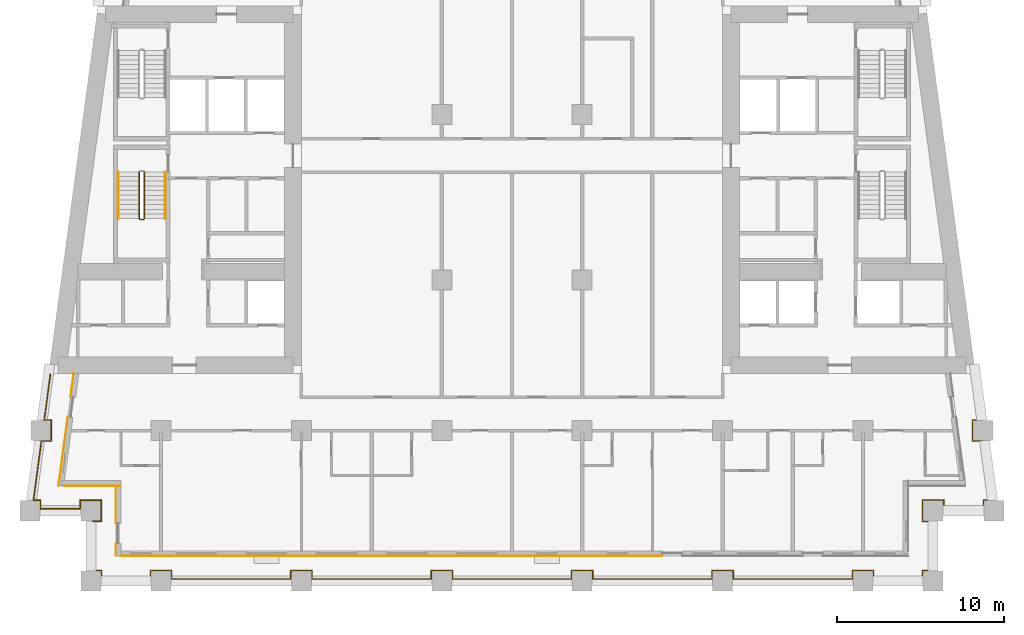
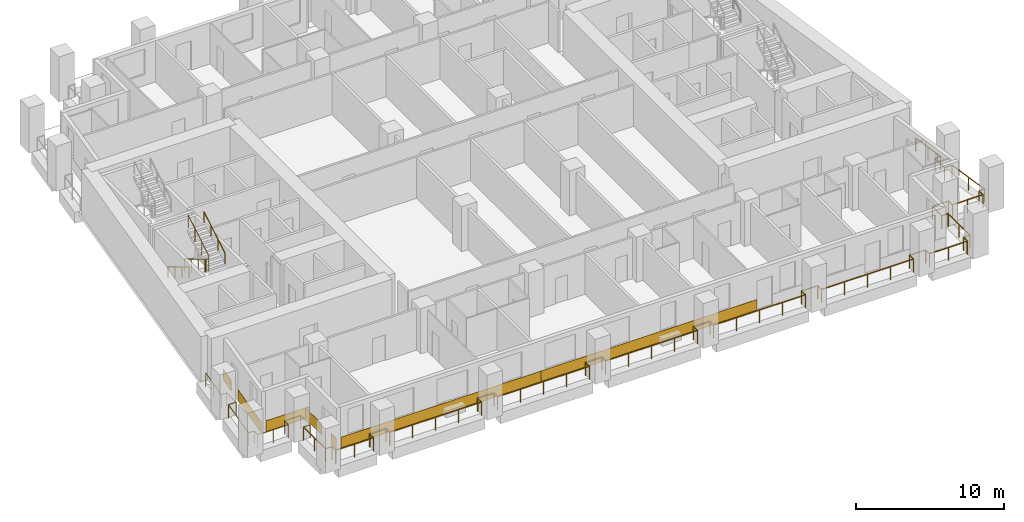
# One storey, part 9 of 13: 7 coverings, 5 railings.
"""IFC4 building model written with IfcOpenShell, lengths in metres."""

from ifc_helpers import new_model, si_unit, direction, frame, origin, origin_2d, place, context, subcontext, project, spatial, rectangle, circle, extrude, material, layer, layer_set, type_object, element, save


model = new_model("IFC4")

# Units and contexts
model_context = context("Model", 3, precision=1e-05, world=origin(), true_north=direction((0.0, 1.0)))
body_context = subcontext(model_context, "Body", "Model", "MODEL_VIEW")
ifc_project = project(units=[si_unit("LENGTHUNIT", "METRE"), si_unit("AREAUNIT", "SQUARE_METRE"), si_unit("VOLUMEUNIT", "CUBIC_METRE"), si_unit("PLANEANGLEUNIT", "RADIAN"), si_unit("MASSUNIT", "GRAM", prefix="KILO")], contexts=[model_context])

# Site, building, storey
site_placement = place(None, origin())
site = spatial("IfcSite", under=ifc_project, at=site_placement, CompositionType="ELEMENT")
building_placement = place(site_placement, origin())
building = spatial("IfcBuilding", under=site, at=building_placement, Name="Candeia Pilgrim Tower and Theatre", CompositionType="ELEMENT")
storey_placement = place(building_placement, frame((0.0, 0.0, 109.5)))
storey = spatial("IfcBuildingStorey", under=building, at=storey_placement, Name="L25", CompositionType="ELEMENT", Elevation=109.5)

# Railings
ifc_material_1 = material(Name="Stainless steel balustrade", Category="steel")
railing_type_1 = type_object("IfcRailingType", Name="G1 loggia guard 1100", PredefinedType="GUARDRAIL", material=ifc_material_1)
railing_1_placement = place(storey_placement, frame((88.320068359375, 101.570068359375, 0.0)))
element("IfcRailing", 1, at=railing_1_placement, inside=storey, type_object=railing_type_1, Name="Guard L25.1", PredefinedType="GUARDRAIL", context=body_context, shape_type="SweptSolid", body=[
    extrude(circle(Radius=0.02392578125, at=origin_2d()), frame((0.0, 0.0, 1.076171875), z_axis=(1.0, 0.0, 0.0), x_axis=(0.0, 1.0, 0.0)), (0.0, 0.0, 1.0), 0.510009765625),
    extrude(circle(Radius=0.02392578125, at=origin_2d()), frame((0.510009765625, 0.0, 1.076171875), z_axis=(0.0, 1.0, 0.0), x_axis=(-1.0, 0.0, 0.0)), (0.0, 0.0, 1.0), 1.260009765625),
    extrude(circle(Radius=0.02392578125, at=origin_2d()), frame((0.510009765625, 1.260009765625, 1.076171875), z_axis=(-1.0, 0.0, 0.0), x_axis=(0.0, -1.0, 0.0)), (0.0, 0.0, 1.0), 1.260009765625),
    extrude(circle(Radius=0.02392578125, at=origin_2d()), frame((-0.75, 1.260009765625, 1.076171875), z_axis=(0.0, -1.0, 0.0), x_axis=(1.0, 0.0, 0.0)), (0.0, 0.0, 1.0), 0.510009765625),
    extrude(circle(Radius=0.02392578125, at=origin_2d()), frame((-0.75, 0.75, 1.076171875), z_axis=(-1.0, 0.0, 0.0), x_axis=(0.0, -1.0, 0.0)), (0.0, 0.0, 1.0), 2.374755859375),
    extrude(circle(Radius=0.02392578125, at=origin_2d()), frame((-3.124755859375, 0.75, 1.076171875), z_axis=(0.0, 1.0, 0.0), x_axis=(-1.0, 0.0, 0.0)), (0.0, 0.0, 1.0), 0.510009765625),
    extrude(circle(Radius=0.02392578125, at=origin_2d()), frame((-3.124755859375, 1.260009765625, 1.076171875), z_axis=(-1.0, 0.0, 0.0), x_axis=(0.0, -1.0, 0.0)), (0.0, 0.0, 1.0), 0.424072265625),
    extrude(circle(Radius=0.02392578125, at=origin_2d()), frame((-3.548828125, 1.260009765625, 1.076171875), z_axis=(0.133417176173, 0.991059966451, 0.0), x_axis=(-0.991059966451, 0.133417176173, 0.0)), (0.0, 0.0, 1.0), 3.572021484375),
    extrude(circle(Radius=0.02392578125, at=origin_2d()), frame((-3.072265625, 4.800048828125, 1.076171875), z_axis=(1.0, 0.0, 0.0), x_axis=(0.0, 1.0, 0.0)), (0.0, 0.0, 1.0), 0.59375),
    extrude(circle(Radius=0.02392578125, at=origin_2d()), frame((-2.478515625, 4.800048828125, 1.076171875), z_axis=(0.0, 1.0, 0.0), x_axis=(-1.0, 0.0, 0.0)), (0.0, 0.0, 1.0), 1.259765625),
    extrude(circle(Radius=0.02392578125, at=origin_2d()), frame((-2.478515625, 6.059814453125, 1.076171875), z_axis=(-1.0, 0.0, 0.0), x_axis=(0.0, -1.0, 0.0)), (0.0, 0.0, 1.0), 0.424072265625),
    extrude(circle(Radius=0.02392578125, at=origin_2d()), frame((-2.902587890625, 6.059814453125, 1.076171875), z_axis=(0.1334220927, 0.991059304572, 0.0), x_axis=(-0.991059304572, 0.1334220927, 0.0)), (0.0, 0.0, 1.0), 2.744873046875),
    extrude(circle(Radius=0.02099609375, at=origin_2d()), origin(), (0.0, 0.0, 1.0), 1.052001953125),
    extrude(circle(Radius=0.02099609375, at=origin_2d()), frame((0.510009765625, 0.0, 0.0)), (0.0, 0.0, 1.0), 1.052001953125),
    extrude(circle(Radius=0.02099609375, at=origin_2d()), frame((0.510009765625, 1.260009765625, 0.0)), (0.0, 0.0, 1.0), 1.052001953125),
    extrude(circle(Radius=0.02099609375, at=origin_2d()), frame((-0.75, 1.260009765625, 0.0)), (0.0, 0.0, 1.0), 1.052001953125),
    extrude(circle(Radius=0.02099609375, at=origin_2d()), frame((-0.75, 0.75, 0.0)), (0.0, 0.0, 1.0), 1.052001953125),
    extrude(circle(Radius=0.02099609375, at=origin_2d()), frame((-1.9375, 0.75, 0.0)), (0.0, 0.0, 1.0), 1.052001953125),
    extrude(circle(Radius=0.02099609375, at=origin_2d()), frame((-3.124755859375, 0.75, 0.0)), (0.0, 0.0, 1.0), 1.052001953125),
    extrude(circle(Radius=0.02099609375, at=origin_2d()), frame((-3.124755859375, 1.260009765625, 0.0)), (0.0, 0.0, 1.0), 1.052001953125),
    extrude(circle(Radius=0.02099609375, at=origin_2d()), frame((-3.548828125, 1.260009765625, 0.0)), (0.0, 0.0, 1.0), 1.052001953125),
    extrude(circle(Radius=0.02099609375, at=origin_2d()), frame((-3.310546875, 3.030029296875, 0.0)), (0.0, 0.0, 1.0), 1.052001953125),
    extrude(circle(Radius=0.02099609375, at=origin_2d()), frame((-3.072265625, 4.800048828125, 0.0)), (0.0, 0.0, 1.0), 1.052001953125),
    extrude(circle(Radius=0.02099609375, at=origin_2d()), frame((-2.478515625, 4.800048828125, 0.0)), (0.0, 0.0, 1.0), 1.052001953125),
    extrude(circle(Radius=0.02099609375, at=origin_2d()), frame((-2.478515625, 6.059814453125, 0.0)), (0.0, 0.0, 1.0), 1.052001953125),
    extrude(circle(Radius=0.02099609375, at=origin_2d()), frame((-2.902587890625, 6.059814453125, 0.0)), (0.0, 0.0, 1.0), 1.052001953125),
    extrude(circle(Radius=0.02099609375, at=origin_2d()), frame((-2.719482421875, 7.419921875, 0.0)), (0.0, 0.0, 1.0), 1.052001953125),
    extrude(circle(Radius=0.02099609375, at=origin_2d()), frame((-2.536376953125, 8.780029296875, 0.0)), (0.0, 0.0, 1.0), 1.052001953125),
])
railing_2_placement = place(storey_placement, frame((141.016357421875, 110.35009765625, 0.0)))
element("IfcRailing", 2, at=railing_2_placement, inside=storey, type_object=railing_type_1, Name="Guard L25.4", PredefinedType="GUARDRAIL", context=body_context, shape_type="SweptSolid", body=[
    extrude(circle(Radius=0.02392578125, at=origin_2d()), frame((0.0, 0.0, 1.076171875), z_axis=(0.1334220927, -0.991059304572, 0.0), x_axis=(0.991059304572, 0.1334220927, 0.0)), (0.0, 0.0, 1.0), 2.744873046875),
    extrude(circle(Radius=0.02392578125, at=origin_2d()), frame((0.3662109375, -2.72021484375, 1.076171875), z_axis=(-1.0, 0.0, 0.0), x_axis=(0.0, -1.0, 0.0)), (0.0, 0.0, 1.0), 0.424072265625),
    extrude(circle(Radius=0.02392578125, at=origin_2d()), frame((-0.057861328125, -2.72021484375, 1.076171875), z_axis=(0.0, -1.0, 0.0), x_axis=(1.0, 0.0, 0.0)), (0.0, 0.0, 1.0), 1.259765625),
    extrude(circle(Radius=0.02392578125, at=origin_2d()), frame((-0.057861328125, -3.97998046875, 1.076171875), z_axis=(1.0, 0.0, 0.0), x_axis=(0.0, 1.0, 0.0)), (0.0, 0.0, 1.0), 0.59375),
    extrude(circle(Radius=0.02392578125, at=origin_2d()), frame((0.535888671875, -3.97998046875, 1.076171875), z_axis=(0.133417176173, -0.991059966451, 0.0), x_axis=(0.991059966451, 0.133417176173, 0.0)), (0.0, 0.0, 1.0), 3.572021484375),
    extrude(circle(Radius=0.02392578125, at=origin_2d()), frame((1.012451171875, -7.52001953125, 1.076171875), z_axis=(-1.0, 0.0, 0.0), x_axis=(0.0, -1.0, 0.0)), (0.0, 0.0, 1.0), 0.424072265625),
    extrude(circle(Radius=0.02392578125, at=origin_2d()), frame((0.58837890625, -7.52001953125, 1.076171875), z_axis=(0.0, -1.0, 0.0), x_axis=(1.0, 0.0, 0.0)), (0.0, 0.0, 1.0), 0.510009765625),
    extrude(circle(Radius=0.02392578125, at=origin_2d()), frame((0.58837890625, -8.030029296875, 1.076171875), z_axis=(-1.0, 0.0, 0.0), x_axis=(0.0, -1.0, 0.0)), (0.0, 0.0, 1.0), 2.374755859375),
    extrude(circle(Radius=0.02392578125, at=origin_2d()), frame((-1.786376953125, -8.030029296875, 1.076171875), z_axis=(0.0, 1.0, 0.0), x_axis=(-1.0, 0.0, 0.0)), (0.0, 0.0, 1.0), 0.510009765625),
    extrude(circle(Radius=0.02392578125, at=origin_2d()), frame((-1.786376953125, -7.52001953125, 1.076171875), z_axis=(-1.0, 0.0, 0.0), x_axis=(0.0, -1.0, 0.0)), (0.0, 0.0, 1.0), 1.260009765625),
    extrude(circle(Radius=0.02392578125, at=origin_2d()), frame((-3.04638671875, -7.52001953125, 1.076171875), z_axis=(0.0, -1.0, 0.0), x_axis=(1.0, 0.0, 0.0)), (0.0, 0.0, 1.0), 1.260009765625),
    extrude(circle(Radius=0.02392578125, at=origin_2d()), frame((-3.04638671875, -8.780029296875, 1.076171875), z_axis=(1.0, 0.0, 0.0), x_axis=(0.0, 1.0, 0.0)), (0.0, 0.0, 1.0), 0.510009765625),
    extrude(circle(Radius=0.02392578125, at=origin_2d()), frame((-2.536376953125, -8.780029296875, 1.076171875), z_axis=(0.0, -1.0, 0.0), x_axis=(1.0, 0.0, 0.0)), (0.0, 0.0, 1.0), 2.940185546875),
    extrude(circle(Radius=0.02392578125, at=origin_2d()), frame((-2.536376953125, -11.72021484375, 1.076171875), z_axis=(-1.0, 0.0, 0.0), x_axis=(0.0, -1.0, 0.0)), (0.0, 0.0, 1.0), 0.510009765625),
    extrude(circle(Radius=0.02392578125, at=origin_2d()), frame((-3.04638671875, -11.72021484375, 1.076171875), z_axis=(0.0, -1.0, 0.0), x_axis=(1.0, 0.0, 0.0)), (0.0, 0.0, 1.0), 0.509765625),
    extrude(circle(Radius=0.02392578125, at=origin_2d()), frame((-3.04638671875, -12.22998046875, 1.076171875), z_axis=(-1.0, 0.0, 0.0), x_axis=(0.0, -1.0, 0.0)), (0.0, 0.0, 1.0), 2.93994140625),
    extrude(circle(Radius=0.02392578125, at=origin_2d()), frame((-5.986328125, -12.22998046875, 1.076171875), z_axis=(0.0, 1.0, 0.0), x_axis=(-1.0, 0.0, 0.0)), (0.0, 0.0, 1.0), 0.509765625),
    extrude(circle(Radius=0.02392578125, at=origin_2d()), frame((-5.986328125, -11.72021484375, 1.076171875), z_axis=(-1.0, 0.0, 0.0), x_axis=(0.0, -1.0, 0.0)), (0.0, 0.0, 1.0), 1.260009765625),
    extrude(circle(Radius=0.02392578125, at=origin_2d()), frame((-7.246337890625, -11.72021484375, 1.076171875), z_axis=(0.0, -1.0, 0.0), x_axis=(1.0, 0.0, 0.0)), (0.0, 0.0, 1.0), 0.509765625),
    extrude(circle(Radius=0.02392578125, at=origin_2d()), frame((-7.246337890625, -12.22998046875, 1.076171875), z_axis=(-1.0, 0.0, 0.0), x_axis=(0.0, -1.0, 0.0)), (0.0, 0.0, 1.0), 7.14013671875),
    extrude(circle(Radius=0.02392578125, at=origin_2d()), frame((-14.386474609375, -12.22998046875, 1.076171875), z_axis=(0.0, 1.0, 0.0), x_axis=(-1.0, 0.0, 0.0)), (0.0, 0.0, 1.0), 0.509765625),
    extrude(circle(Radius=0.02392578125, at=origin_2d()), frame((-14.386474609375, -11.72021484375, 1.076171875), z_axis=(-1.0, 0.0, 0.0), x_axis=(0.0, -1.0, 0.0)), (0.0, 0.0, 1.0), 1.259765625),
    extrude(circle(Radius=0.02392578125, at=origin_2d()), frame((-15.646240234375, -11.72021484375, 1.076171875), z_axis=(0.0, -1.0, 0.0), x_axis=(1.0, 0.0, 0.0)), (0.0, 0.0, 1.0), 0.509765625),
    extrude(circle(Radius=0.02392578125, at=origin_2d()), frame((-15.646240234375, -12.22998046875, 1.076171875), z_axis=(-1.0, 0.0, 0.0), x_axis=(0.0, -1.0, 0.0)), (0.0, 0.0, 1.0), 7.14013671875),
    extrude(circle(Radius=0.02392578125, at=origin_2d()), frame((-22.786376953125, -12.22998046875, 1.076171875), z_axis=(0.0, 1.0, 0.0), x_axis=(-1.0, 0.0, 0.0)), (0.0, 0.0, 1.0), 0.509765625),
    extrude(circle(Radius=0.02392578125, at=origin_2d()), frame((-22.786376953125, -11.72021484375, 1.076171875), z_axis=(-1.0, 0.0, 0.0), x_axis=(0.0, -1.0, 0.0)), (0.0, 0.0, 1.0), 1.260009765625),
    extrude(circle(Radius=0.02392578125, at=origin_2d()), frame((-24.04638671875, -11.72021484375, 1.076171875), z_axis=(0.0, -1.0, 0.0), x_axis=(1.0, 0.0, 0.0)), (0.0, 0.0, 1.0), 0.509765625),
    extrude(circle(Radius=0.02392578125, at=origin_2d()), frame((-24.04638671875, -12.22998046875, 1.076171875), z_axis=(-1.0, 0.0, 0.0), x_axis=(0.0, -1.0, 0.0)), (0.0, 0.0, 1.0), 7.139892578125),
    extrude(circle(Radius=0.02392578125, at=origin_2d()), frame((-31.186279296875, -12.22998046875, 1.076171875), z_axis=(0.0, 1.0, 0.0), x_axis=(-1.0, 0.0, 0.0)), (0.0, 0.0, 1.0), 0.509765625),
    extrude(circle(Radius=0.02392578125, at=origin_2d()), frame((-31.186279296875, -11.72021484375, 1.076171875), z_axis=(-1.0, 0.0, 0.0), x_axis=(0.0, -1.0, 0.0)), (0.0, 0.0, 1.0), 1.260009765625),
    extrude(circle(Radius=0.02392578125, at=origin_2d()), frame((-32.4462890625, -11.72021484375, 1.076171875), z_axis=(0.0, -1.0, 0.0), x_axis=(1.0, 0.0, 0.0)), (0.0, 0.0, 1.0), 0.509765625),
    extrude(circle(Radius=0.02392578125, at=origin_2d()), frame((-32.4462890625, -12.22998046875, 1.076171875), z_axis=(-1.0, 0.0, 0.0), x_axis=(0.0, -1.0, 0.0)), (0.0, 0.0, 1.0), 7.14013671875),
    extrude(circle(Radius=0.02392578125, at=origin_2d()), frame((-39.58642578125, -12.22998046875, 1.076171875), z_axis=(0.0, 1.0, 0.0), x_axis=(-1.0, 0.0, 0.0)), (0.0, 0.0, 1.0), 0.509765625),
    extrude(circle(Radius=0.02392578125, at=origin_2d()), frame((-39.58642578125, -11.72021484375, 1.076171875), z_axis=(-1.0, 0.0, 0.0), x_axis=(0.0, -1.0, 0.0)), (0.0, 0.0, 1.0), 1.260009765625),
    extrude(circle(Radius=0.02392578125, at=origin_2d()), frame((-40.846435546875, -11.72021484375, 1.076171875), z_axis=(0.0, -1.0, 0.0), x_axis=(1.0, 0.0, 0.0)), (0.0, 0.0, 1.0), 0.509765625),
    extrude(circle(Radius=0.02392578125, at=origin_2d()), frame((-40.846435546875, -12.22998046875, 1.076171875), z_axis=(-1.0, 0.0, 0.0), x_axis=(0.0, -1.0, 0.0)), (0.0, 0.0, 1.0), 7.139892578125),
    extrude(circle(Radius=0.02392578125, at=origin_2d()), frame((-47.986328125, -12.22998046875, 1.076171875), z_axis=(0.0, 1.0, 0.0), x_axis=(-1.0, 0.0, 0.0)), (0.0, 0.0, 1.0), 0.509765625),
    extrude(circle(Radius=0.02392578125, at=origin_2d()), frame((-47.986328125, -11.72021484375, 1.076171875), z_axis=(-1.0, 0.0, 0.0), x_axis=(0.0, -1.0, 0.0)), (0.0, 0.0, 1.0), 1.260009765625),
    extrude(circle(Radius=0.02392578125, at=origin_2d()), frame((-49.246337890625, -11.72021484375, 1.076171875), z_axis=(0.0, -1.0, 0.0), x_axis=(1.0, 0.0, 0.0)), (0.0, 0.0, 1.0), 0.509765625),
    extrude(circle(Radius=0.02392578125, at=origin_2d()), frame((-49.246337890625, -12.22998046875, 1.076171875), z_axis=(-1.0, 0.0, 0.0), x_axis=(0.0, -1.0, 0.0)), (0.0, 0.0, 1.0), 2.93994140625),
    extrude(circle(Radius=0.02392578125, at=origin_2d()), frame((-52.186279296875, -12.22998046875, 1.076171875), z_axis=(0.0, 1.0, 0.0), x_axis=(-1.0, 0.0, 0.0)), (0.0, 0.0, 1.0), 0.509765625),
    extrude(circle(Radius=0.02392578125, at=origin_2d()), frame((-52.186279296875, -11.72021484375, 1.076171875), z_axis=(-1.0, 0.0, 0.0), x_axis=(0.0, -1.0, 0.0)), (0.0, 0.0, 1.0), 0.510009765625),
    extrude(circle(Radius=0.02392578125, at=origin_2d()), frame((-52.6962890625, -11.72021484375, 1.076171875), z_axis=(0.0, 1.0, 0.0), x_axis=(-1.0, 0.0, 0.0)), (0.0, 0.0, 1.0), 2.940185546875),
    extrude(circle(Radius=0.02099609375, at=origin_2d()), origin(), (0.0, 0.0, 1.0), 1.052001953125),
    extrude(circle(Radius=0.02099609375, at=origin_2d()), frame((0.18310546875, -1.360107421875, 0.0)), (0.0, 0.0, 1.0), 1.052001953125),
    extrude(circle(Radius=0.02099609375, at=origin_2d()), frame((0.3662109375, -2.72021484375, 0.0)), (0.0, 0.0, 1.0), 1.052001953125),
    extrude(circle(Radius=0.02099609375, at=origin_2d()), frame((-0.057861328125, -2.72021484375, 0.0)), (0.0, 0.0, 1.0), 1.052001953125),
    extrude(circle(Radius=0.02099609375, at=origin_2d()), frame((-0.057861328125, -3.97998046875, 0.0)), (0.0, 0.0, 1.0), 1.052001953125),
    extrude(circle(Radius=0.02099609375, at=origin_2d()), frame((0.535888671875, -3.97998046875, 0.0)), (0.0, 0.0, 1.0), 1.052001953125),
    extrude(circle(Radius=0.02099609375, at=origin_2d()), frame((0.774169921875, -5.75, 0.0)), (0.0, 0.0, 1.0), 1.052001953125),
    extrude(circle(Radius=0.02099609375, at=origin_2d()), frame((1.012451171875, -7.52001953125, 0.0)), (0.0, 0.0, 1.0), 1.052001953125),
    extrude(circle(Radius=0.02099609375, at=origin_2d()), frame((0.58837890625, -7.52001953125, 0.0)), (0.0, 0.0, 1.0), 1.052001953125),
    extrude(circle(Radius=0.02099609375, at=origin_2d()), frame((0.58837890625, -8.030029296875, 0.0)), (0.0, 0.0, 1.0), 1.052001953125),
    extrude(circle(Radius=0.02099609375, at=origin_2d()), frame((-0.59912109375, -8.030029296875, 0.0)), (0.0, 0.0, 1.0), 1.052001953125),
    extrude(circle(Radius=0.02099609375, at=origin_2d()), frame((-1.786376953125, -8.030029296875, 0.0)), (0.0, 0.0, 1.0), 1.052001953125),
    extrude(circle(Radius=0.02099609375, at=origin_2d()), frame((-1.786376953125, -7.52001953125, 0.0)), (0.0, 0.0, 1.0), 1.052001953125),
    extrude(circle(Radius=0.02099609375, at=origin_2d()), frame((-3.04638671875, -7.52001953125, 0.0)), (0.0, 0.0, 1.0), 1.052001953125),
    extrude(circle(Radius=0.02099609375, at=origin_2d()), frame((-3.04638671875, -8.780029296875, 0.0)), (0.0, 0.0, 1.0), 1.052001953125),
    extrude(circle(Radius=0.02099609375, at=origin_2d()), frame((-2.536376953125, -8.780029296875, 0.0)), (0.0, 0.0, 1.0), 1.052001953125),
    extrude(circle(Radius=0.02099609375, at=origin_2d()), frame((-2.536376953125, -10.25, 0.0)), (0.0, 0.0, 1.0), 1.052001953125),
    extrude(circle(Radius=0.02099609375, at=origin_2d()), frame((-2.536376953125, -11.72021484375, 0.0)), (0.0, 0.0, 1.0), 1.052001953125),
    extrude(circle(Radius=0.02099609375, at=origin_2d()), frame((-3.04638671875, -11.72021484375, 0.0)), (0.0, 0.0, 1.0), 1.052001953125),
    extrude(circle(Radius=0.02099609375, at=origin_2d()), frame((-3.04638671875, -12.22998046875, 0.0)), (0.0, 0.0, 1.0), 1.052001953125),
    extrude(circle(Radius=0.02099609375, at=origin_2d()), frame((-4.516357421875, -12.22998046875, 0.0)), (0.0, 0.0, 1.0), 1.052001953125),
    extrude(circle(Radius=0.02099609375, at=origin_2d()), frame((-5.986328125, -12.22998046875, 0.0)), (0.0, 0.0, 1.0), 1.052001953125),
    extrude(circle(Radius=0.02099609375, at=origin_2d()), frame((-5.986328125, -11.72021484375, 0.0)), (0.0, 0.0, 1.0), 1.052001953125),
    extrude(circle(Radius=0.02099609375, at=origin_2d()), frame((-7.246337890625, -11.72021484375, 0.0)), (0.0, 0.0, 1.0), 1.052001953125),
    extrude(circle(Radius=0.02099609375, at=origin_2d()), frame((-7.246337890625, -12.22998046875, 0.0)), (0.0, 0.0, 1.0), 1.052001953125),
    extrude(circle(Radius=0.02099609375, at=origin_2d()), frame((-9.03125, -12.22998046875, 0.0)), (0.0, 0.0, 1.0), 1.052001953125),
    extrude(circle(Radius=0.02099609375, at=origin_2d()), frame((-10.81640625, -12.22998046875, 0.0)), (0.0, 0.0, 1.0), 1.052001953125),
    extrude(circle(Radius=0.02099609375, at=origin_2d()), frame((-12.6015625, -12.22998046875, 0.0)), (0.0, 0.0, 1.0), 1.052001953125),
    extrude(circle(Radius=0.02099609375, at=origin_2d()), frame((-14.386474609375, -12.22998046875, 0.0)), (0.0, 0.0, 1.0), 1.052001953125),
    extrude(circle(Radius=0.02099609375, at=origin_2d()), frame((-14.386474609375, -11.72021484375, 0.0)), (0.0, 0.0, 1.0), 1.052001953125),
    extrude(circle(Radius=0.02099609375, at=origin_2d()), frame((-15.646240234375, -11.72021484375, 0.0)), (0.0, 0.0, 1.0), 1.052001953125),
    extrude(circle(Radius=0.02099609375, at=origin_2d()), frame((-15.646240234375, -12.22998046875, 0.0)), (0.0, 0.0, 1.0), 1.052001953125),
    extrude(circle(Radius=0.02099609375, at=origin_2d()), frame((-17.43115234375, -12.22998046875, 0.0)), (0.0, 0.0, 1.0), 1.052001953125),
    extrude(circle(Radius=0.02099609375, at=origin_2d()), frame((-19.21630859375, -12.22998046875, 0.0)), (0.0, 0.0, 1.0), 1.052001953125),
    extrude(circle(Radius=0.02099609375, at=origin_2d()), frame((-21.00146484375, -12.22998046875, 0.0)), (0.0, 0.0, 1.0), 1.052001953125),
    extrude(circle(Radius=0.02099609375, at=origin_2d()), frame((-22.786376953125, -12.22998046875, 0.0)), (0.0, 0.0, 1.0), 1.052001953125),
    extrude(circle(Radius=0.02099609375, at=origin_2d()), frame((-22.786376953125, -11.72021484375, 0.0)), (0.0, 0.0, 1.0), 1.052001953125),
    extrude(circle(Radius=0.02099609375, at=origin_2d()), frame((-24.04638671875, -11.72021484375, 0.0)), (0.0, 0.0, 1.0), 1.052001953125),
    extrude(circle(Radius=0.02099609375, at=origin_2d()), frame((-24.04638671875, -12.22998046875, 0.0)), (0.0, 0.0, 1.0), 1.052001953125),
    extrude(circle(Radius=0.02099609375, at=origin_2d()), frame((-25.831298828125, -12.22998046875, 0.0)), (0.0, 0.0, 1.0), 1.052001953125),
    extrude(circle(Radius=0.02099609375, at=origin_2d()), frame((-27.6162109375, -12.22998046875, 0.0)), (0.0, 0.0, 1.0), 1.052001953125),
    extrude(circle(Radius=0.02099609375, at=origin_2d()), frame((-29.4013671875, -12.22998046875, 0.0)), (0.0, 0.0, 1.0), 1.052001953125),
    extrude(circle(Radius=0.02099609375, at=origin_2d()), frame((-31.186279296875, -12.22998046875, 0.0)), (0.0, 0.0, 1.0), 1.052001953125),
    extrude(circle(Radius=0.02099609375, at=origin_2d()), frame((-31.186279296875, -11.72021484375, 0.0)), (0.0, 0.0, 1.0), 1.052001953125),
    extrude(circle(Radius=0.02099609375, at=origin_2d()), frame((-32.4462890625, -11.72021484375, 0.0)), (0.0, 0.0, 1.0), 1.052001953125),
    extrude(circle(Radius=0.02099609375, at=origin_2d()), frame((-32.4462890625, -12.22998046875, 0.0)), (0.0, 0.0, 1.0), 1.052001953125),
    extrude(circle(Radius=0.02099609375, at=origin_2d()), frame((-34.2314453125, -12.22998046875, 0.0)), (0.0, 0.0, 1.0), 1.052001953125),
    extrude(circle(Radius=0.02099609375, at=origin_2d()), frame((-36.016357421875, -12.22998046875, 0.0)), (0.0, 0.0, 1.0), 1.052001953125),
    extrude(circle(Radius=0.02099609375, at=origin_2d()), frame((-37.80126953125, -12.22998046875, 0.0)), (0.0, 0.0, 1.0), 1.052001953125),
    extrude(circle(Radius=0.02099609375, at=origin_2d()), frame((-39.58642578125, -12.22998046875, 0.0)), (0.0, 0.0, 1.0), 1.052001953125),
    extrude(circle(Radius=0.02099609375, at=origin_2d()), frame((-39.58642578125, -11.72021484375, 0.0)), (0.0, 0.0, 1.0), 1.052001953125),
    extrude(circle(Radius=0.02099609375, at=origin_2d()), frame((-40.846435546875, -11.72021484375, 0.0)), (0.0, 0.0, 1.0), 1.052001953125),
    extrude(circle(Radius=0.02099609375, at=origin_2d()), frame((-40.846435546875, -12.22998046875, 0.0)), (0.0, 0.0, 1.0), 1.052001953125),
    extrude(circle(Radius=0.02099609375, at=origin_2d()), frame((-42.63134765625, -12.22998046875, 0.0)), (0.0, 0.0, 1.0), 1.052001953125),
    extrude(circle(Radius=0.02099609375, at=origin_2d()), frame((-44.41650390625, -12.22998046875, 0.0)), (0.0, 0.0, 1.0), 1.052001953125),
    extrude(circle(Radius=0.02099609375, at=origin_2d()), frame((-46.201416015625, -12.22998046875, 0.0)), (0.0, 0.0, 1.0), 1.052001953125),
    extrude(circle(Radius=0.02099609375, at=origin_2d()), frame((-47.986328125, -12.22998046875, 0.0)), (0.0, 0.0, 1.0), 1.052001953125),
    extrude(circle(Radius=0.02099609375, at=origin_2d()), frame((-47.986328125, -11.72021484375, 0.0)), (0.0, 0.0, 1.0), 1.052001953125),
    extrude(circle(Radius=0.02099609375, at=origin_2d()), frame((-49.246337890625, -11.72021484375, 0.0)), (0.0, 0.0, 1.0), 1.052001953125),
    extrude(circle(Radius=0.02099609375, at=origin_2d()), frame((-49.246337890625, -12.22998046875, 0.0)), (0.0, 0.0, 1.0), 1.052001953125),
    extrude(circle(Radius=0.02099609375, at=origin_2d()), frame((-50.71630859375, -12.22998046875, 0.0)), (0.0, 0.0, 1.0), 1.052001953125),
    extrude(circle(Radius=0.02099609375, at=origin_2d()), frame((-52.186279296875, -12.22998046875, 0.0)), (0.0, 0.0, 1.0), 1.052001953125),
    extrude(circle(Radius=0.02099609375, at=origin_2d()), frame((-52.186279296875, -11.72021484375, 0.0)), (0.0, 0.0, 1.0), 1.052001953125),
    extrude(circle(Radius=0.02099609375, at=origin_2d()), frame((-52.6962890625, -11.72021484375, 0.0)), (0.0, 0.0, 1.0), 1.052001953125),
    extrude(circle(Radius=0.02099609375, at=origin_2d()), frame((-52.6962890625, -10.25, 0.0)), (0.0, 0.0, 1.0), 1.052001953125),
    extrude(circle(Radius=0.02099609375, at=origin_2d()), frame((-52.6962890625, -8.780029296875, 0.0)), (0.0, 0.0, 1.0), 1.052001953125),
])

# Coverings
ifc_material_2 = material(Name="Glazed ceramic tile red")
ifc_layer_1 = layer(ifc_material_2, 0.02001953125)
ifc_layer_set_1 = layer_set([ifc_layer_1], Name="Glazed ceramic tile red")
covering_type_1 = type_object("IfcCoveringType", Name="Glazed ceramic tile red", PredefinedType="CLADDING", material=ifc_layer_set_1)
covering_1_placement = place(storey_placement, frame((97.81005859375, 99.489990234375, 0.0), z_axis=(0.0, 0.0, 1.0), x_axis=(1.0, 0.0, 0.0)))
element("IfcCovering", 3, at=covering_1_placement, inside=storey, type_object=covering_type_1, Name="Tile cladding red L25", PredefinedType="CLADDING", context=body_context, shape_type="SweptSolid", body=[
    extrude(rectangle(XDim=15.580078125, YDim=0.02001953125, at=origin_2d()), origin(), (0.0, 0.0, 1.0), 0.89990234375),
])
covering_2_placement = place(storey_placement, frame((87.0810546875, 109.71875, 0.0), z_axis=(0.0, 0.0, 1.0), x_axis=(-0.133412012145, -0.991060661622, 0.0)))
element("IfcCovering", 4, at=covering_2_placement, inside=storey, type_object=covering_type_1, Name="Tile cladding red L25", PredefinedType="CLADDING", context=body_context, shape_type="SweptSolid", body=[
    extrude(rectangle(XDim=1.41796875, YDim=0.02001953125, at=origin_2d()), origin(), (0.0, 0.0, 1.0), 0.89990234375),
])
covering_3_placement = place(storey_placement, frame((86.548583984375, 105.763916015625, 0.0), z_axis=(0.0, 0.0, 1.0), x_axis=(-0.133412012145, -0.991060661622, 0.0)))
element("IfcCovering", 5, at=covering_3_placement, inside=storey, type_object=covering_type_1, Name="Tile cladding red L25", PredefinedType="CLADDING", context=body_context, shape_type="SweptSolid", body=[
    extrude(rectangle(XDim=4.16259765625, YDim=0.02001953125, at=origin_2d()), origin(), (0.0, 0.0, 1.0), 0.89990234375),
])
covering_4_placement = place(storey_placement, frame((88.311279296875, 103.68994140625, 0.0), z_axis=(0.0, 0.0, 1.0), x_axis=(1.0, 0.0, 0.0)))
element("IfcCovering", 6, at=covering_4_placement, inside=storey, type_object=covering_type_1, Name="Tile cladding red L25", PredefinedType="CLADDING", context=body_context, shape_type="SweptSolid", body=[
    extrude(rectangle(XDim=3.377685546875, YDim=0.02001953125, at=origin_2d()), origin(), (0.0, 0.0, 1.0), 0.89990234375),
])
covering_5_placement = place(storey_placement, frame((89.68994140625, 102.56494140625, 0.0), z_axis=(0.0, 0.0, 1.0), x_axis=(0.0, -1.0, 0.0)))
element("IfcCovering", 7, at=covering_5_placement, inside=storey, type_object=covering_type_1, Name="Tile cladding red L25", PredefinedType="CLADDING", context=body_context, shape_type="SweptSolid", body=[
    extrude(rectangle(XDim=2.22998046875, YDim=0.02001953125, at=origin_2d()), origin(), (0.0, 0.0, 1.0), 0.89990234375),
])
covering_6_placement = place(storey_placement, frame((89.68994140625, 99.875, 0.0), z_axis=(0.0, 0.0, 1.0), x_axis=(0.0, -1.0, 0.0)))
element("IfcCovering", 8, at=covering_6_placement, inside=storey, type_object=covering_type_1, Name="Tile cladding red L25", PredefinedType="CLADDING", context=body_context, shape_type="SweptSolid", body=[
    extrude(rectangle(XDim=0.75, YDim=0.02001953125, at=origin_2d()), origin(), (0.0, 0.0, 1.0), 0.89990234375),
])
ifc_material_3 = material(Name="Glazed ceramic tile rust")
ifc_layer_2 = layer(ifc_material_3, 0.02001953125)
ifc_layer_set_2 = layer_set([ifc_layer_2], Name="Glazed ceramic tile rust")
covering_type_2 = type_object("IfcCoveringType", Name="Glazed ceramic tile rust", PredefinedType="CLADDING", material=ifc_layer_set_2)
covering_7_placement = place(storey_placement, frame((114.0, 99.489990234375, 0.0), z_axis=(0.0, 0.0, 1.0), x_axis=(1.0, 0.0, 0.0)))
element("IfcCovering", 9, at=covering_7_placement, inside=storey, type_object=covering_type_2, Name="Tile cladding rust L25", PredefinedType="CLADDING", context=body_context, shape_type="SweptSolid", body=[
    extrude(rectangle(XDim=16.800048828125, YDim=0.02001953125, at=origin_2d()), origin(), (0.0, 0.0, 1.0), 0.89990234375),
])

# Railings
railing_type_2 = type_object("IfcRailingType", Name="RL-GUARD-1100", PredefinedType="GUARDRAIL", material=ifc_material_1)
railing_3_placement = place(storey_placement, frame((91.10205078125, 122.47509765625, 0.168212890625)))
element("IfcRailing", 10, at=railing_3_placement, inside=storey, type_object=railing_type_2, Name="L25 ST1 stair guard 1", PredefinedType="GUARDRAIL", context=body_context, shape_type="SweptSolid", body=[
    extrude(circle(Radius=0.02392578125, at=origin_2d()), frame((0.0, 0.0, 1.076171875), z_axis=(0.0, -0.857242210791, 0.514913383045), x_axis=(1.0, 0.0, 0.0)), (0.0, 0.0, 1.0), 3.266357421875),
    extrude(circle(Radius=0.02392578125, at=origin_2d()), frame((0.0, -2.800048828125, 2.7578125), z_axis=(0.707106781187, -0.707106781187, 0.0), x_axis=(0.707106781187, 0.707106781187, 0.0)), (0.0, 0.0, 1.0), 0.07080078125),
    extrude(circle(Radius=0.02392578125, at=origin_2d()), frame((0.050048828125, -2.85009765625, 2.7578125), z_axis=(1.0, 0.0, 0.0), x_axis=(0.0, 1.0, 0.0)), (0.0, 0.0, 1.0), 0.199951171875),
    extrude(circle(Radius=0.02392578125, at=origin_2d()), frame((0.25, -2.85009765625, 2.7578125), z_axis=(0.274582412415, 0.274582412415, 0.921525364591), x_axis=(-0.707106781187, 0.707106781187, 0.0)), (0.0, 0.0, 1.0), 0.182373046875),
    extrude(circle(Radius=0.02392578125, at=origin_2d()), frame((0.300048828125, -2.800048828125, 2.92578125), z_axis=(0.0, 0.857242210791, 0.514913383045), x_axis=(-1.0, 0.0, 0.0)), (0.0, 0.0, 1.0), 3.266357421875),
    extrude(circle(Radius=0.02099609375, at=origin_2d()), origin(), (0.0, 0.0, 1.0), 1.052001953125),
    extrude(circle(Radius=0.02099609375, at=origin_2d()), frame((0.0, -0.933349609375, 0.560546875)), (0.0, 0.0, 1.0), 1.052001953125),
    extrude(circle(Radius=0.02099609375, at=origin_2d()), frame((0.0, -1.86669921875, 1.121337890625)), (0.0, 0.0, 1.0), 1.052001953125),
    extrude(circle(Radius=0.02099609375, at=origin_2d()), frame((0.0, -2.800048828125, 1.681884765625)), (0.0, 0.0, 1.0), 1.052001953125),
    extrude(circle(Radius=0.02099609375, at=origin_2d()), frame((0.050048828125, -2.85009765625, 1.681884765625)), (0.0, 0.0, 1.0), 1.052001953125),
    extrude(circle(Radius=0.02099609375, at=origin_2d()), frame((0.25, -2.85009765625, 1.681884765625)), (0.0, 0.0, 1.0), 1.052001953125),
    extrude(circle(Radius=0.02099609375, at=origin_2d()), frame((0.300048828125, -2.800048828125, 1.849853515625)), (0.0, 0.0, 1.0), 1.052001953125),
    extrude(circle(Radius=0.02099609375, at=origin_2d()), frame((0.300048828125, -1.86669921875, 2.410400390625)), (0.0, 0.0, 1.0), 1.052001953125),
    extrude(circle(Radius=0.02099609375, at=origin_2d()), frame((0.300048828125, -0.933349609375, 2.97119140625)), (0.0, 0.0, 1.0), 1.052001953125),
    extrude(circle(Radius=0.02099609375, at=origin_2d()), frame((0.300048828125, 0.0, 3.53173828125)), (0.0, 0.0, 1.0), 1.052001953125),
])
ifc_material_4 = material(Name="Stainless steel handrail", Category="steel")
railing_type_3 = type_object("IfcRailingType", Name="RL-HANDRAIL-900", PredefinedType="HANDRAIL", material=ifc_material_4)
railing_4_placement = place(storey_placement, frame((89.85205078125, 122.47509765625, 0.168212890625)))
element("IfcRailing", 11, at=railing_4_placement, inside=storey, type_object=railing_type_3, Name="L25 ST1 stair handrail 1", PredefinedType="HANDRAIL", context=body_context, shape_type="SweptSolid", body=[
    extrude(circle(Radius=0.02392578125, at=origin_2d()), frame((0.0, 0.0, 0.8759765625), z_axis=(0.0, -0.857242210791, 0.514913383045), x_axis=(1.0, 0.0, 0.0)), (0.0, 0.0, 1.0), 3.266357421875),
    extrude(circle(Radius=0.02099609375, at=origin_2d()), origin(), (0.0, 0.0, 1.0), 0.851806640625),
    extrude(circle(Radius=0.02099609375, at=origin_2d()), frame((0.0, -0.933349609375, 0.560546875)), (0.0, 0.0, 1.0), 0.851806640625),
    extrude(circle(Radius=0.02099609375, at=origin_2d()), frame((0.0, -1.86669921875, 1.121337890625)), (0.0, 0.0, 1.0), 0.851806640625),
    extrude(circle(Radius=0.02099609375, at=origin_2d()), frame((0.0, -2.800048828125, 1.681884765625)), (0.0, 0.0, 1.0), 0.851806640625),
])
railing_5_placement = place(storey_placement, frame((92.652099609375, 119.675048828125, 2.01806640625)))
element("IfcRailing", 12, at=railing_5_placement, inside=storey, type_object=railing_type_3, Name="L25 ST1 stair handrail 2", PredefinedType="HANDRAIL", context=body_context, shape_type="SweptSolid", body=[
    extrude(circle(Radius=0.02392578125, at=origin_2d()), frame((0.0, 0.0, 0.8759765625), z_axis=(0.0, 0.857242210791, 0.514913383045), x_axis=(-1.0, 0.0, 0.0)), (0.0, 0.0, 1.0), 3.266357421875),
    extrude(circle(Radius=0.02099609375, at=origin_2d()), origin(), (0.0, 0.0, 1.0), 0.851806640625),
    extrude(circle(Radius=0.02099609375, at=origin_2d()), frame((0.0, 0.933349609375, 0.560546875)), (0.0, 0.0, 1.0), 0.851806640625),
    extrude(circle(Radius=0.02099609375, at=origin_2d()), frame((0.0, 1.86669921875, 1.121337890625)), (0.0, 0.0, 1.0), 0.851806640625),
    extrude(circle(Radius=0.02099609375, at=origin_2d()), frame((0.0, 2.800048828125, 1.681884765625)), (0.0, 0.0, 1.0), 0.851806640625),
])

save(model, "model.ifc")
